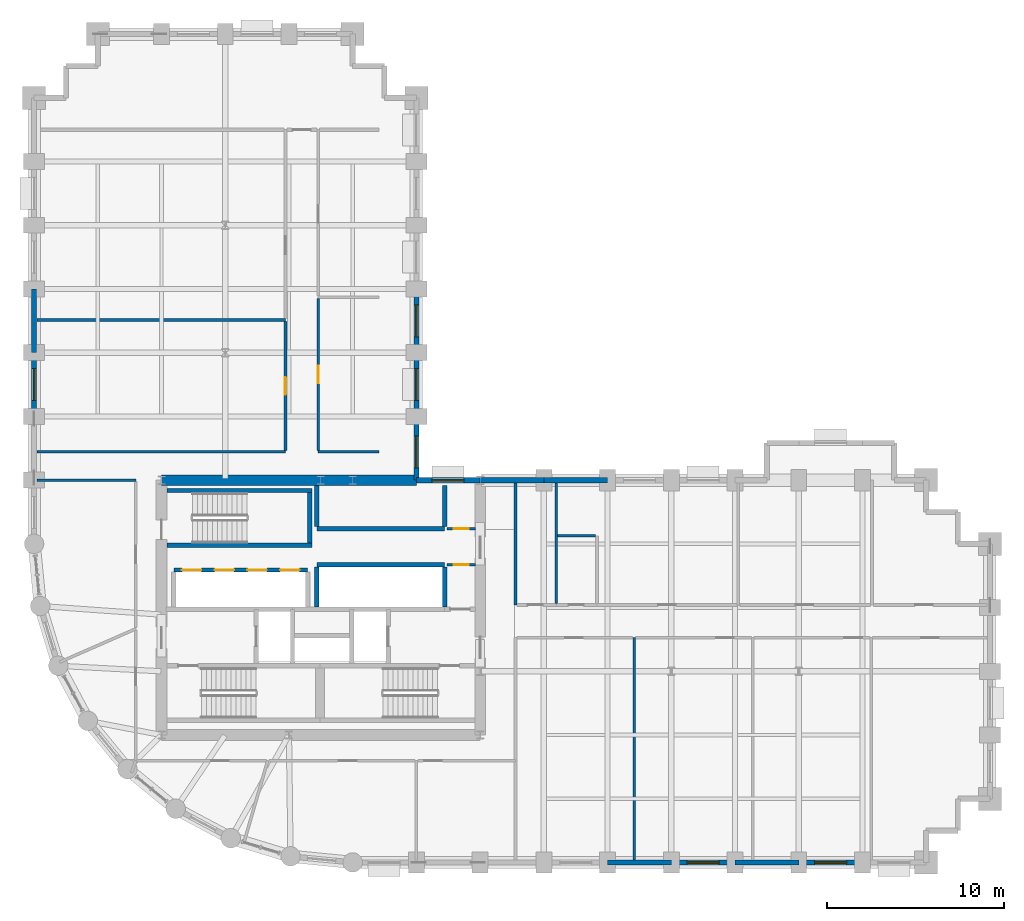
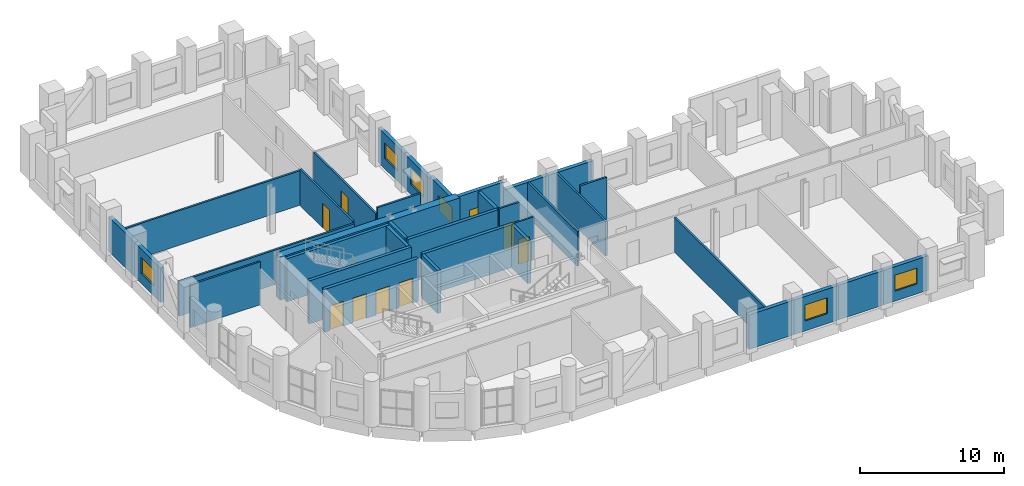
# One storey, part 9 of 13: 35 walls, 8 doors, 7 windows, 15 openings.
"""IFC4 building model written with IfcOpenShell, lengths in metres."""

from ifc_helpers import new_model, si_unit, direction, frame, frame_2d, origin, place, context, subcontext, project, spatial, rectangle, extrude, material, layer, layer_set, type_object, element, fill, save


model = new_model("IFC4")

# Units and contexts
model_context = context("Model", 3, precision=1e-05, world=origin(), true_north=direction((0.0, 1.0)))
body_context = subcontext(model_context, "Body", "Model", "MODEL_VIEW")
ifc_project = project(units=[si_unit("LENGTHUNIT", "METRE"), si_unit("AREAUNIT", "SQUARE_METRE"), si_unit("VOLUMEUNIT", "CUBIC_METRE"), si_unit("PLANEANGLEUNIT", "RADIAN"), si_unit("MASSUNIT", "GRAM", prefix="KILO")], contexts=[model_context])

# Site, building, storey
site_placement = place(None, origin())
site = spatial("IfcSite", under=ifc_project, at=site_placement, CompositionType="ELEMENT")
building_placement = place(site_placement, origin())
building = spatial("IfcBuilding", under=site, at=building_placement, Name="Solnavia Interchange Tower", CompositionType="ELEMENT")
storey_placement = place(building_placement, frame((0.0, 0.0, 39.60009765625)))
storey = spatial("IfcBuildingStorey", under=building, at=storey_placement, Name="L09", CompositionType="ELEMENT", Elevation=39.60009765625)

# Wall
ifc_material_1 = material(Name="Concrete C40/50", Category="concrete")
ifc_layer_1 = layer(ifc_material_1, 0.300048828125)
ifc_layer_set_1 = layer_set([ifc_layer_1], Name="Concrete C40/50")
wall_type_1 = type_object("IfcWallType", Name="Wall-ExtSpandrel-300", PredefinedType="STANDARD", material=ifc_layer_set_1)
wall_1_placement = place(storey_placement, frame((43.199951171875, 3.60009765625, 0.0), z_axis=(0.0, 0.0, 1.0), x_axis=(-1.0, 0.0, 0.0)))
element("IfcWall", 1, at=wall_1_placement, inside=storey, type_object=wall_type_1, Name="EXW-L09-05 Exterior precast spandrel wall", PredefinedType="STANDARD", context=body_context, shape_type="SweptSolid", body=[
    extrude(rectangle(XDim=3.599853515625, YDim=0.300048828125, at=frame_2d((1.7998046875, 0.0))), origin(), (0.0, 0.0, 1.0), 2.929931640625),
])

# Wall, opening, window
wall_2_placement = place(storey_placement, frame((46.800048828125, 3.60009765625, 0.0), z_axis=(0.0, 0.0, 1.0), x_axis=(-1.0, 0.0, 0.0)))
wall_2 = element("IfcWall", 2, at=wall_2_placement, inside=storey, type_object=wall_type_1, Name="EXW-L09-06 Exterior precast spandrel wall", PredefinedType="STANDARD", context=body_context, shape_type="SweptSolid", body=[
    extrude(rectangle(XDim=3.60009765625, YDim=0.300048828125, at=frame_2d((1.800048828125, 0.0))), origin(), (0.0, 0.0, 1.0), 2.929931640625),
])
opening_1_placement = place(wall_2_placement, frame((0.89990234375, 0.0, 0.85009765625)))
opening_1 = element("IfcOpeningElement", 3, at=opening_1_placement, cuts=wall_2, Name="Opening WIN-02", PredefinedType="OPENING", context=body_context, shape_type="SweptSolid", body=[
    extrude(rectangle(XDim=1.800048828125, YDim=1.35009765625, at=frame_2d((0.89990234375, 0.675048828125))), frame((0.0, 0.16015625, 0.0), z_axis=(0.0, -1.0, 0.0), x_axis=(1.0, 0.0, 0.0)), (0.0, 0.0, 1.0), 0.320068359375),
])
ifc_material_2 = material(Name="Thermal-Break Aluminium & Low-E Glass", Category="aluminium")
window_type = type_object("IfcWindowType", Name="Window-Ribbon-1800x1350", PartitioningType="SINGLE_PANEL", PredefinedType="WINDOW", material=ifc_material_2)
window_1_placement = place(opening_1_placement, origin())
window_1 = element("IfcWindow", 4, at=window_1_placement, inside=storey, type_object=window_type, Name="WIN-L09-06 Facade ribbon window", OverallHeight=1.35009765625, OverallWidth=1.800048828125, PartitioningType="SINGLE_PANEL", PredefinedType="WINDOW", context=body_context, shape_type="SweptSolid", body=[
    extrude(rectangle(XDim=1.800048828125, YDim=1.35009765625, at=frame_2d((0.89990234375, 0.675048828125))), frame((0.0, 0.030029296875, 0.0), z_axis=(0.0, -1.0, 0.0), x_axis=(1.0, 0.0, 0.0)), (0.0, 0.0, 1.0), 0.06005859375),
])
fill(opening_1, window_1)

# Wall
wall_3_placement = place(storey_placement, frame((50.39990234375, 3.60009765625, 0.0), z_axis=(0.0, 0.0, 1.0), x_axis=(-1.0, 0.0, 0.0)))
element("IfcWall", 5, at=wall_3_placement, inside=storey, type_object=wall_type_1, Name="EXW-L09-07 Exterior precast spandrel wall", PredefinedType="STANDARD", context=body_context, shape_type="SweptSolid", body=[
    extrude(rectangle(XDim=3.599853515625, YDim=0.300048828125, at=frame_2d((1.7998046875, 0.0))), origin(), (0.0, 0.0, 1.0), 2.929931640625),
])

# Wall, opening, window
wall_4_placement = place(storey_placement, frame((54.0, 3.60009765625, 0.0), z_axis=(0.0, 0.0, 1.0), x_axis=(-1.0, 0.0, 0.0)))
wall_4 = element("IfcWall", 6, at=wall_4_placement, inside=storey, type_object=wall_type_1, Name="EXW-L09-08 Exterior precast spandrel wall", PredefinedType="STANDARD", context=body_context, shape_type="SweptSolid", body=[
    extrude(rectangle(XDim=3.60009765625, YDim=0.300048828125, at=frame_2d((1.800048828125, 0.0))), origin(), (0.0, 0.0, 1.0), 2.929931640625),
])
opening_2_placement = place(wall_4_placement, frame((0.89990234375, 0.0, 0.85009765625)))
opening_2 = element("IfcOpeningElement", 7, at=opening_2_placement, cuts=wall_4, Name="Opening WIN-02", PredefinedType="OPENING", context=body_context, shape_type="SweptSolid", body=[
    extrude(rectangle(XDim=1.800048828125, YDim=1.35009765625, at=frame_2d((0.89990234375, 0.675048828125))), frame((0.0, 0.16015625, 0.0), z_axis=(0.0, -1.0, 0.0), x_axis=(1.0, 0.0, 0.0)), (0.0, 0.0, 1.0), 0.320068359375),
])
window_2_placement = place(opening_2_placement, origin())
window_2 = element("IfcWindow", 8, at=window_2_placement, inside=storey, type_object=window_type, Name="WIN-L09-08 Facade ribbon window", OverallHeight=1.35009765625, OverallWidth=1.800048828125, PartitioningType="SINGLE_PANEL", PredefinedType="WINDOW", context=body_context, shape_type="SweptSolid", body=[
    extrude(rectangle(XDim=1.800048828125, YDim=1.35009765625, at=frame_2d((0.89990234375, 0.675048828125))), frame((0.0, 0.030029296875, 0.0), z_axis=(0.0, -1.0, 0.0), x_axis=(1.0, 0.0, 0.0)), (0.0, 0.0, 1.0), 0.06005859375),
])
fill(opening_2, window_2)

# Walls
for number, where, z_axis, x_axis, name in (
    (9, (36.0, 25.199951171875, 0.0), (0.0, 0.0, 1.0), (1.0, 0.0, 0.0), "EXW-L09-31 Exterior precast spandrel wall"),
    (10, (32.39990234375, 25.199951171875, 0.0), (0.0, 0.0, 1.0), (1.0, 0.0, 0.0), "EXW-L09-32 Exterior precast spandrel wall"),
):
    element("IfcWall", number, at=place(storey_placement, frame(where, z_axis=z_axis, x_axis=x_axis)), inside=storey, type_object=wall_type_1, Name=name, PredefinedType="STANDARD", context=body_context, shape_type="SweptSolid", body=[
        extrude(rectangle(XDim=3.60009765625, YDim=0.300048828125, at=frame_2d((1.800048828125, 0.0))), origin(), (0.0, 0.0, 1.0), 2.929931640625),
    ])

# Wall, opening, window
wall_5_placement = place(storey_placement, frame((28.800048828125, 25.199951171875, 0.0), z_axis=(0.0, 0.0, 1.0), x_axis=(1.0, 0.0, 0.0)))
wall_5 = element("IfcWall", 11, at=wall_5_placement, inside=storey, type_object=wall_type_1, Name="EXW-L09-33 Exterior precast spandrel wall", PredefinedType="STANDARD", context=body_context, shape_type="SweptSolid", body=[
    extrude(rectangle(XDim=3.599853515625, YDim=0.300048828125, at=frame_2d((1.7998046875, 0.0))), origin(), (0.0, 0.0, 1.0), 3.635009765625),
])
opening_3_placement = place(wall_5_placement, frame((0.8779296875, 0.0, 0.85009765625)))
opening_3 = element("IfcOpeningElement", 12, at=opening_3_placement, cuts=wall_5, Name="Opening WIN-02", PredefinedType="OPENING", context=body_context, shape_type="SweptSolid", body=[
    extrude(rectangle(XDim=1.800048828125, YDim=1.35009765625, at=frame_2d((0.89990234375, 0.675048828125))), frame((0.0, 0.16015625, 0.0), z_axis=(0.0, -1.0, 0.0), x_axis=(1.0, 0.0, 0.0)), (0.0, 0.0, 1.0), 0.320068359375),
])
window_3_placement = place(opening_3_placement, origin())
window_3 = element("IfcWindow", 13, at=window_3_placement, inside=storey, type_object=window_type, Name="WIN-L09-33 Facade ribbon window", OverallHeight=1.35009765625, OverallWidth=1.800048828125, PartitioningType="SINGLE_PANEL", PredefinedType="WINDOW", context=body_context, shape_type="SweptSolid", body=[
    extrude(rectangle(XDim=1.800048828125, YDim=1.35009765625, at=frame_2d((0.89990234375, 0.675048828125))), frame((0.0, 0.030029296875, 0.0), z_axis=(0.0, -1.0, 0.0), x_axis=(1.0, 0.0, 0.0)), (0.0, 0.0, 1.0), 0.06005859375),
])
fill(opening_3, window_3)

wall_6_placement = place(storey_placement, frame((28.800048828125, 25.199951171875, 0.0), z_axis=(0.0, 0.0, 1.0), x_axis=(0.0, 1.0, 0.0)))
wall_6 = element("IfcWall", 14, at=wall_6_placement, inside=storey, type_object=wall_type_1, Name="EXW-L09-34 Exterior precast spandrel wall", PredefinedType="STANDARD", context=body_context, shape_type="SweptSolid", body=[
    extrude(rectangle(XDim=3.60009765625, YDim=0.300048828125, at=frame_2d((1.800048828125, 0.0))), origin(), (0.0, 0.0, 1.0), 3.139892578125),
])
opening_4_placement = place(wall_6_placement, frame((0.695068359375, 0.0, 0.85009765625)))
opening_4 = element("IfcOpeningElement", 15, at=opening_4_placement, cuts=wall_6, Name="Opening WIN-02", PredefinedType="OPENING", context=body_context, shape_type="SweptSolid", body=[
    extrude(rectangle(XDim=1.800048828125, YDim=1.35009765625, at=frame_2d((0.89990234375, 0.675048828125))), frame((0.0, 0.16015625, 0.0), z_axis=(0.0, -1.0, 0.0), x_axis=(1.0, 0.0, 0.0)), (0.0, 0.0, 1.0), 0.320068359375),
])
window_4_placement = place(opening_4_placement, origin())
window_4 = element("IfcWindow", 16, at=window_4_placement, inside=storey, type_object=window_type, Name="WIN-L09-34 Facade ribbon window", OverallHeight=1.35009765625, OverallWidth=1.800048828125, PartitioningType="SINGLE_PANEL", PredefinedType="WINDOW", context=body_context, shape_type="SweptSolid", body=[
    extrude(rectangle(XDim=1.800048828125, YDim=1.35009765625, at=frame_2d((0.89990234375, 0.675048828125))), frame((0.0, 0.030029296875, 0.0), z_axis=(0.0, -1.0, 0.0), x_axis=(1.0, 0.0, 0.0)), (0.0, 0.0, 1.0), 0.06005859375),
])
fill(opening_4, window_4)

wall_7_placement = place(storey_placement, frame((28.800048828125, 28.800048828125, 0.0), z_axis=(0.0, 0.0, 1.0), x_axis=(0.0, 1.0, 0.0)))
wall_7 = element("IfcWall", 17, at=wall_7_placement, inside=storey, type_object=wall_type_1, Name="EXW-L09-35 Exterior precast spandrel wall", PredefinedType="STANDARD", context=body_context, shape_type="SweptSolid", body=[
    extrude(rectangle(XDim=3.599853515625, YDim=0.300048828125, at=frame_2d((1.7998046875, 0.0))), origin(), (0.0, 0.0, 1.0), 2.929931640625),
])
opening_5_placement = place(wall_7_placement, frame((0.89990234375, 0.0, 0.85009765625)))
opening_5 = element("IfcOpeningElement", 18, at=opening_5_placement, cuts=wall_7, Name="Opening WIN-02", PredefinedType="OPENING", context=body_context, shape_type="SweptSolid", body=[
    extrude(rectangle(XDim=1.800048828125, YDim=1.35009765625, at=frame_2d((0.89990234375, 0.675048828125))), frame((0.0, 0.16015625, 0.0), z_axis=(0.0, -1.0, 0.0), x_axis=(1.0, 0.0, 0.0)), (0.0, 0.0, 1.0), 0.320068359375),
])
window_5_placement = place(opening_5_placement, origin())
window_5 = element("IfcWindow", 19, at=window_5_placement, inside=storey, type_object=window_type, Name="WIN-L09-35 Facade ribbon window", OverallHeight=1.35009765625, OverallWidth=1.800048828125, PartitioningType="SINGLE_PANEL", PredefinedType="WINDOW", context=body_context, shape_type="SweptSolid", body=[
    extrude(rectangle(XDim=1.800048828125, YDim=1.35009765625, at=frame_2d((0.89990234375, 0.675048828125))), frame((0.0, 0.030029296875, 0.0), z_axis=(0.0, -1.0, 0.0), x_axis=(1.0, 0.0, 0.0)), (0.0, 0.0, 1.0), 0.06005859375),
])
fill(opening_5, window_5)

wall_8_placement = place(storey_placement, frame((28.800048828125, 32.39990234375, 0.0), z_axis=(0.0, 0.0, 1.0), x_axis=(0.0, 1.0, 0.0)))
wall_8 = element("IfcWall", 20, at=wall_8_placement, inside=storey, type_object=wall_type_1, Name="EXW-L09-36 Exterior precast spandrel wall", PredefinedType="STANDARD", context=body_context, shape_type="SweptSolid", body=[
    extrude(rectangle(XDim=3.60009765625, YDim=0.300048828125, at=frame_2d((1.800048828125, 0.0))), origin(), (0.0, 0.0, 1.0), 2.929931640625),
])
opening_6_placement = place(wall_8_placement, frame((0.89990234375, 0.0, 0.85009765625)))
opening_6 = element("IfcOpeningElement", 21, at=opening_6_placement, cuts=wall_8, Name="Opening WIN-02", PredefinedType="OPENING", context=body_context, shape_type="SweptSolid", body=[
    extrude(rectangle(XDim=1.800048828125, YDim=1.35009765625, at=frame_2d((0.89990234375, 0.675048828125))), frame((0.0, 0.16015625, 0.0), z_axis=(0.0, -1.0, 0.0), x_axis=(1.0, 0.0, 0.0)), (0.0, 0.0, 1.0), 0.320068359375),
])
window_6_placement = place(opening_6_placement, origin())
window_6 = element("IfcWindow", 22, at=window_6_placement, inside=storey, type_object=window_type, Name="WIN-L09-36 Facade ribbon window", OverallHeight=1.35009765625, OverallWidth=1.800048828125, PartitioningType="SINGLE_PANEL", PredefinedType="WINDOW", context=body_context, shape_type="SweptSolid", body=[
    extrude(rectangle(XDim=1.800048828125, YDim=1.35009765625, at=frame_2d((0.89990234375, 0.675048828125))), frame((0.0, 0.030029296875, 0.0), z_axis=(0.0, -1.0, 0.0), x_axis=(1.0, 0.0, 0.0)), (0.0, 0.0, 1.0), 0.06005859375),
])
fill(opening_6, window_6)

# Wall
wall_9_placement = place(storey_placement, frame((7.199951171875, 32.39990234375, 0.0), z_axis=(0.0, 0.0, 1.0), x_axis=(0.0, 1.0, 0.0)))
element("IfcWall", 23, at=wall_9_placement, inside=storey, type_object=wall_type_1, Name="EXW-L09-55 Exterior precast spandrel wall", PredefinedType="STANDARD", context=body_context, shape_type="SweptSolid", body=[
    extrude(rectangle(XDim=3.60009765625, YDim=0.300048828125, at=frame_2d((1.800048828125, 0.0))), origin(), (0.0, 0.0, 1.0), 2.929931640625),
])

# Wall, opening, window
wall_10_placement = place(storey_placement, frame((7.199951171875, 28.800048828125, 0.0), z_axis=(0.0, 0.0, 1.0), x_axis=(0.0, 1.0, 0.0)))
wall_10 = element("IfcWall", 24, at=wall_10_placement, inside=storey, type_object=wall_type_1, Name="EXW-L09-56 Exterior precast spandrel wall", PredefinedType="STANDARD", context=body_context, shape_type="SweptSolid", body=[
    extrude(rectangle(XDim=3.599853515625, YDim=0.300048828125, at=frame_2d((1.7998046875, 0.0))), origin(), (0.0, 0.0, 1.0), 2.929931640625),
])
opening_7_placement = place(wall_10_placement, frame((0.89990234375, 0.0, 0.85009765625)))
opening_7 = element("IfcOpeningElement", 25, at=opening_7_placement, cuts=wall_10, Name="Opening WIN-02", PredefinedType="OPENING", context=body_context, shape_type="SweptSolid", body=[
    extrude(rectangle(XDim=1.800048828125, YDim=1.35009765625, at=frame_2d((0.89990234375, 0.675048828125))), frame((0.0, 0.16015625, 0.0), z_axis=(0.0, -1.0, 0.0), x_axis=(1.0, 0.0, 0.0)), (0.0, 0.0, 1.0), 0.320068359375),
])
window_7_placement = place(opening_7_placement, origin())
window_7 = element("IfcWindow", 26, at=window_7_placement, inside=storey, type_object=window_type, Name="WIN-L09-56 Facade ribbon window", OverallHeight=1.35009765625, OverallWidth=1.800048828125, PartitioningType="SINGLE_PANEL", PredefinedType="WINDOW", context=body_context, shape_type="SweptSolid", body=[
    extrude(rectangle(XDim=1.800048828125, YDim=1.35009765625, at=frame_2d((0.89990234375, 0.675048828125))), frame((0.0, 0.030029296875, 0.0), z_axis=(0.0, -1.0, 0.0), x_axis=(1.0, 0.0, 0.0)), (0.0, 0.0, 1.0), 0.06005859375),
])
fill(opening_7, window_7)

# Wall, opening, door
ifc_material_3 = material(Name="Gypsum Plasterboard & Steel Stud", Category="steel")
ifc_layer_2 = layer(ifc_material_3, 0.14990234375)
ifc_layer_set_2 = layer_set([ifc_layer_2], Name="Gypsum Plasterboard & Steel Stud")
wall_type_2 = type_object("IfcWallType", Name="Wall-Partition-150", PredefinedType="PARTITIONING", material=ifc_layer_set_2)
wall_11_placement = place(storey_placement, frame((30.52001953125, 22.4599609375, 0.0), z_axis=(0.0, 0.0, 1.0), x_axis=(1.0, 0.0, 0.0)))
wall_11 = element("IfcWall", 27, at=wall_11_placement, inside=storey, type_object=wall_type_2, Name="CSW-L09-NE-S Core shaft wall", PredefinedType="PARTITIONING", context=body_context, shape_type="SweptSolid", body=[
    extrude(rectangle(XDim=1.6298828125, YDim=0.14990234375, at=frame_2d((0.81494140625, 0.0))), origin(), (0.0, 0.0, 1.0), 3.635009765625),
])
opening_8_placement = place(wall_11_placement, frame((0.3798828125, 0.0, 0.0)))
opening_8 = element("IfcOpeningElement", 28, at=opening_8_placement, cuts=wall_11, Name="Opening DR-10", PredefinedType="OPENING", context=body_context, shape_type="SweptSolid", body=[
    extrude(rectangle(XDim=0.85009765625, YDim=2.10009765625, at=frame_2d((0.425048828125, 1.050048828125))), frame((0.0, 0.0849609375, 0.0), z_axis=(0.0, -1.0, 0.0), x_axis=(1.0, 0.0, 0.0)), (0.0, 0.0, 1.0), 0.169921875),
])
ifc_material_4 = material(Name="Moisture-Resistant Timber Door", Category="wood")
door_type_1 = type_object("IfcDoorType", Name="Door-Bathroom-850x2100", OperationType="SINGLE_SWING_RIGHT", PredefinedType="DOOR", material=ifc_material_4)
door_1_placement = place(opening_8_placement, origin())
door_1 = element("IfcDoor", 29, at=door_1_placement, inside=storey, type_object=door_type_1, Name="DR-L09-CNE1 Core fire door", OperationType="SINGLE_SWING_RIGHT", OverallHeight=2.10009765625, OverallWidth=0.85009765625, PredefinedType="DOOR", context=body_context, shape_type="SweptSolid", body=[
    extrude(rectangle(XDim=0.85009765625, YDim=2.10009765625, at=frame_2d((0.425048828125, 1.050048828125))), frame((0.0, 0.02490234375, 0.0), z_axis=(0.0, -1.0, 0.0), x_axis=(1.0, 0.0, 0.0)), (0.0, 0.0, 1.0), 0.050048828125),
])
fill(opening_8, door_1)

wall_12_placement = place(storey_placement, frame((30.52001953125, 20.419921875, 0.0), z_axis=(0.0, 0.0, 1.0), x_axis=(1.0, 0.0, 0.0)))
wall_12 = element("IfcWall", 30, at=wall_12_placement, inside=storey, type_object=wall_type_2, Name="CSW-L09-SE-N Core shaft wall", PredefinedType="PARTITIONING", context=body_context, shape_type="SweptSolid", body=[
    extrude(rectangle(XDim=1.6298828125, YDim=0.14990234375, at=frame_2d((0.81494140625, 0.0))), origin(), (0.0, 0.0, 1.0), 3.635009765625),
])
opening_9_placement = place(wall_12_placement, frame((0.3798828125, 0.0, 0.0)))
opening_9 = element("IfcOpeningElement", 31, at=opening_9_placement, cuts=wall_12, Name="Opening DR-10", PredefinedType="OPENING", context=body_context, shape_type="SweptSolid", body=[
    extrude(rectangle(XDim=0.85009765625, YDim=2.10009765625, at=frame_2d((0.425048828125, 1.050048828125))), frame((0.0, 0.0849609375, 0.0), z_axis=(0.0, -1.0, 0.0), x_axis=(1.0, 0.0, 0.0)), (0.0, 0.0, 1.0), 0.169921875),
])
door_2_placement = place(opening_9_placement, origin())
door_2 = element("IfcDoor", 32, at=door_2_placement, inside=storey, type_object=door_type_1, Name="DR-L09-CSE1 Core fire door", OperationType="SINGLE_SWING_LEFT", OverallHeight=2.10009765625, OverallWidth=0.85009765625, PredefinedType="DOOR", context=body_context, shape_type="SweptSolid", body=[
    extrude(rectangle(XDim=0.85009765625, YDim=2.10009765625, at=frame_2d((0.425048828125, 1.050048828125))), frame((0.0, 0.02490234375, 0.0), z_axis=(0.0, -1.0, 0.0), x_axis=(1.0, 0.0, 0.0)), (0.0, 0.0, 1.0), 0.050048828125),
])
fill(opening_9, door_2)

# Walls
wall_13_placement = place(storey_placement, frame((7.35400390625, 25.199951171875, 0.0), z_axis=(0.0, 0.0, 1.0), x_axis=(1.0, 0.0, 0.0)))
element("IfcWall", 33, at=wall_13_placement, inside=storey, type_object=wall_type_2, Name="PTW-L09-07 Interior partition wall", PredefinedType="PARTITIONING", context=body_context, shape_type="SweptSolid", body=[
    extrude(rectangle(XDim=5.595947265625, YDim=0.14990234375, at=frame_2d((2.7978515625, 0.0))), origin(), (0.0, 0.0, 1.0), 3.635009765625),
])
wall_14_placement = place(storey_placement, frame((41.10009765625, 3.75390625, 0.0), z_axis=(0.0, 0.0, 1.0), x_axis=(0.0, 1.0, 0.0)))
element("IfcWall", 34, at=wall_14_placement, inside=storey, type_object=wall_type_2, Name="PTW-L09-18 Interior partition wall", PredefinedType="PARTITIONING", context=body_context, shape_type="SweptSolid", body=[
    extrude(rectangle(XDim=12.546142578125, YDim=0.14990234375, at=frame_2d((6.27294921875, 0.0))), origin(), (0.0, 0.0, 1.0), 2.929931640625),
])
for number, where, z_axis, x_axis, name in (
    (35, (7.35400390625, 26.800048828125, 0.0), (0.0, 0.0, 1.0), (1.0, 0.0, 0.0), "PTW-L09-30 Interior partition wall"),
    (36, (7.35400390625, 34.25, 0.0), (0.0, 0.0, 1.0), (1.0, 0.0, 0.0), "PTW-L09-31 Interior partition wall"),
):
    element("IfcWall", number, at=place(storey_placement, frame(where, z_axis=z_axis, x_axis=x_axis)), inside=storey, type_object=wall_type_2, Name=name, PredefinedType="PARTITIONING", context=body_context, shape_type="SweptSolid", body=[
        extrude(rectangle(XDim=14.0458984375, YDim=0.14990234375, at=frame_2d((7.02294921875, 0.0))), origin(), (0.0, 0.0, 1.0), 2.929931640625),
    ])

# Wall, opening, door
wall_15_placement = place(storey_placement, frame((21.39990234375, 26.87890625, 0.0), z_axis=(0.0, 0.0, 1.0), x_axis=(0.0, 1.0, 0.0)))
wall_15 = element("IfcWall", 37, at=wall_15_placement, inside=storey, type_object=wall_type_2, Name="PTW-L09-32 Interior partition wall", PredefinedType="PARTITIONING", context=body_context, shape_type="SweptSolid", body=[
    extrude(rectangle(XDim=7.2919921875, YDim=0.14990234375, at=frame_2d((3.64599609375, 0.0))), origin(), (0.0, 0.0, 1.0), 3.079833984375),
])
opening_10_placement = place(wall_15_placement, frame((3.14599609375, 0.0, 0.0)))
opening_10 = element("IfcOpeningElement", 38, at=opening_10_placement, cuts=wall_15, Name="Opening DR-07", PredefinedType="OPENING", context=body_context, shape_type="SweptSolid", body=[
    extrude(rectangle(XDim=1.0, YDim=2.10009765625, at=frame_2d((0.5, 1.050048828125))), frame((0.0, 0.0849609375, 0.0), z_axis=(0.0, -1.0, 0.0), x_axis=(1.0, 0.0, 0.0)), (0.0, 0.0, 1.0), 0.169921875),
])
ifc_material_5 = material(Name="Timber & Acoustic Glazed Office Door", Category="wood")
door_type_2 = type_object("IfcDoorType", Name="Door-Office-1000x2100", OperationType="SINGLE_SWING_RIGHT", PredefinedType="DOOR", material=ifc_material_5)
door_3_placement = place(opening_10_placement, origin())
door_3 = element("IfcDoor", 39, at=door_3_placement, inside=storey, type_object=door_type_2, Name="DR-L09-15 Interior room door", OperationType="SINGLE_SWING_RIGHT", OverallHeight=2.10009765625, OverallWidth=1.0, PredefinedType="DOOR", context=body_context, shape_type="SweptSolid", body=[
    extrude(rectangle(XDim=1.0, YDim=2.10009765625, at=frame_2d((0.5, 1.050048828125))), frame((0.0, 0.02490234375, 0.0), z_axis=(0.0, -1.0, 0.0), x_axis=(1.0, 0.0, 0.0)), (0.0, 0.0, 1.0), 0.050048828125),
])
fill(opening_10, door_3)

# Wall
wall_16_placement = place(storey_placement, frame((23.25, 26.800048828125, 0.0), z_axis=(0.0, 0.0, 1.0), x_axis=(1.0, 0.0, 0.0)))
element("IfcWall", 40, at=wall_16_placement, inside=storey, type_object=wall_type_2, Name="PTW-L09-34 Interior partition wall", PredefinedType="PARTITIONING", context=body_context, shape_type="SweptSolid", body=[
    extrude(rectangle(XDim=3.449951171875, YDim=0.14990234375, at=frame_2d((1.72509765625, 0.0))), origin(), (0.0, 0.0, 1.0), 3.635009765625),
])

# Wall, opening, door
wall_17_placement = place(storey_placement, frame((23.25, 26.87890625, 0.0), z_axis=(0.0, 0.0, 1.0), x_axis=(0.0, 1.0, 0.0)))
wall_17 = element("IfcWall", 41, at=wall_17_placement, inside=storey, type_object=wall_type_2, Name="PTW-L09-36 Interior partition wall", PredefinedType="PARTITIONING", context=body_context, shape_type="SweptSolid", body=[
    extrude(rectangle(XDim=8.58203125, YDim=0.14990234375, at=frame_2d((4.291015625, 0.0))), origin(), (0.0, 0.0, 1.0), 3.079833984375),
])
opening_11_placement = place(wall_17_placement, frame((3.791015625, 0.0, 0.0)))
opening_11 = element("IfcOpeningElement", 42, at=opening_11_placement, cuts=wall_17, Name="Opening DR-07", PredefinedType="OPENING", context=body_context, shape_type="SweptSolid", body=[
    extrude(rectangle(XDim=1.0, YDim=2.10009765625, at=frame_2d((0.5, 1.050048828125))), frame((0.0, 0.0849609375, 0.0), z_axis=(0.0, -1.0, 0.0), x_axis=(1.0, 0.0, 0.0)), (0.0, 0.0, 1.0), 0.169921875),
])
door_4_placement = place(opening_11_placement, origin())
door_4 = element("IfcDoor", 43, at=door_4_placement, inside=storey, type_object=door_type_2, Name="DR-L09-17 Interior room door", OperationType="SINGLE_SWING_LEFT", OverallHeight=2.10009765625, OverallWidth=1.0, PredefinedType="DOOR", context=body_context, shape_type="SweptSolid", body=[
    extrude(rectangle(XDim=1.0, YDim=2.10009765625, at=frame_2d((0.5, 1.050048828125))), frame((0.0, 0.02490234375, 0.0), z_axis=(0.0, -1.0, 0.0), x_axis=(1.0, 0.0, 0.0)), (0.0, 0.0, 1.0), 0.050048828125),
])
fill(opening_11, door_4)

# Walls
ifc_layer_3 = layer(ifc_material_1, 0.25)
ifc_layer_set_3 = layer_set([ifc_layer_3], Name="Concrete C40/50")
wall_type_3 = type_object("IfcWallType", Name="Wall-ShaftCore-250", PredefinedType="SHEAR", material=ifc_layer_set_3)
for number, where, z_axis, x_axis, name in (
    (44, (14.699951171875, 21.52490234375, 0.0), (0.0, 0.0, 1.0), (1.0, 0.0, 0.0), "SHW-L09-ST3S Core shear wall"),
    (45, (14.699951171875, 24.614990234375, 0.0), (0.0, 0.0, 1.0), (1.0, 0.0, 0.0), "SHW-L09-ST3N Core shear wall"),
):
    element("IfcWall", number, at=place(storey_placement, frame(where, z_axis=z_axis, x_axis=x_axis)), inside=storey, type_object=wall_type_3, Name=name, PredefinedType="SHEAR", context=body_context, shape_type="SweptSolid", body=[
        extrude(rectangle(XDim=8.199951171875, YDim=0.25, at=frame_2d((4.10009765625, 0.0))), origin(), (0.0, 0.0, 1.0), 3.64990234375),
    ])
wall_18_placement = place(storey_placement, frame((22.77490234375, 21.64990234375, 0.0), z_axis=(0.0, 0.0, 1.0), x_axis=(0.0, 1.0, 0.0)))
element("IfcWall", 46, at=wall_18_placement, inside=storey, type_object=wall_type_3, Name="SHW-L09-ST3E Core shear wall", PredefinedType="SHEAR", context=body_context, shape_type="SweptSolid", body=[
    extrude(rectangle(XDim=2.840087890625, YDim=0.25, at=frame_2d((1.419921875, 0.0))), origin(), (0.0, 0.0, 1.0), 3.64990234375),
])

# Wall, openings, doors
ifc_layer_4 = layer(ifc_material_1, 0.25)
ifc_layer_set_4 = layer_set([ifc_layer_4], Name="Concrete C40/50")
wall_type_4 = type_object("IfcWallType", Name="Wall-ShaftPart-250", PredefinedType="PARTITIONING", material=ifc_layer_set_4)
wall_19_placement = place(storey_placement, frame((15.10009765625, 20.125, 0.0), z_axis=(0.0, 0.0, 1.0), x_axis=(1.0, 0.0, 0.0)))
wall_19 = element("IfcWall", 47, at=wall_19_placement, inside=storey, type_object=wall_type_4, Name="SHW-L09-B1N Core shaft wall", PredefinedType="PARTITIONING", context=body_context, shape_type="SweptSolid", body=[
    extrude(rectangle(XDim=7.5498046875, YDim=0.25, at=frame_2d((3.77490234375, 0.0))), origin(), (0.0, 0.0, 1.0), 3.635009765625),
])
opening_12_placement = place(wall_19_placement, frame((0.449951171875, 0.0, 0.0)))
opening_12 = element("IfcOpeningElement", 48, at=opening_12_placement, cuts=wall_19, Name="Opening LD-01", PredefinedType="OPENING", context=body_context, shape_type="SweptSolid", body=[
    extrude(rectangle(XDim=1.10009765625, YDim=2.10009765625, at=frame_2d((0.550048828125, 1.050048828125))), frame((0.0, 0.135009765625, 0.0), z_axis=(0.0, -1.0, 0.0), x_axis=(1.0, 0.0, 0.0)), (0.0, 0.0, 1.0), 0.27001953125),
])
opening_13_placement = place(wall_19_placement, frame((2.300048828125, 0.0, 0.0)))
opening_13 = element("IfcOpeningElement", 49, at=opening_13_placement, cuts=wall_19, Name="Opening LD-01", PredefinedType="OPENING", context=body_context, shape_type="SweptSolid", body=[
    extrude(rectangle(XDim=1.10009765625, YDim=2.10009765625, at=frame_2d((0.550048828125, 1.050048828125))), frame((0.0, 0.135009765625, 0.0), z_axis=(0.0, -1.0, 0.0), x_axis=(1.0, 0.0, 0.0)), (0.0, 0.0, 1.0), 0.27001953125),
])
opening_14_placement = place(wall_19_placement, frame((4.14990234375, 0.0, 0.0)))
opening_14 = element("IfcOpeningElement", 50, at=opening_14_placement, cuts=wall_19, Name="Opening LD-01", PredefinedType="OPENING", context=body_context, shape_type="SweptSolid", body=[
    extrude(rectangle(XDim=1.10009765625, YDim=2.10009765625, at=frame_2d((0.550048828125, 1.050048828125))), frame((0.0, 0.135009765625, 0.0), z_axis=(0.0, -1.0, 0.0), x_axis=(1.0, 0.0, 0.0)), (0.0, 0.0, 1.0), 0.27001953125),
])
opening_15_placement = place(wall_19_placement, frame((6.0, 0.0, 0.0)))
opening_15 = element("IfcOpeningElement", 51, at=opening_15_placement, cuts=wall_19, Name="Opening LD-01", PredefinedType="OPENING", context=body_context, shape_type="SweptSolid", body=[
    extrude(rectangle(XDim=1.10009765625, YDim=2.10009765625, at=frame_2d((0.550048828125, 1.050048828125))), frame((0.0, 0.135009765625, 0.0), z_axis=(0.0, -1.0, 0.0), x_axis=(1.0, 0.0, 0.0)), (0.0, 0.0, 1.0), 0.27001953125),
])
ifc_material_6 = material(Name="Brushed Stainless Steel Sliding Door", Category="steel")
door_type_3 = type_object("IfcDoorType", Name="Door-LiftLanding-1100x2100", OperationType="SLIDING_TO_LEFT", PredefinedType="DOOR", material=ifc_material_6)
door_5_placement = place(opening_12_placement, origin())
door_5 = element("IfcDoor", 52, at=door_5_placement, inside=storey, type_object=door_type_3, Name="LD-L09-B1-1 Lift landing sliding door", OperationType="SLIDING_TO_LEFT", OverallHeight=2.10009765625, OverallWidth=1.10009765625, PredefinedType="DOOR", context=body_context, shape_type="SweptSolid", body=[
    extrude(rectangle(XDim=1.10009765625, YDim=2.10009765625, at=frame_2d((0.550048828125, 1.050048828125))), frame((0.0, 0.02490234375, 0.0), z_axis=(0.0, -1.0, 0.0), x_axis=(1.0, 0.0, 0.0)), (0.0, 0.0, 1.0), 0.050048828125),
])
fill(opening_12, door_5)
door_6_placement = place(opening_13_placement, origin())
door_6 = element("IfcDoor", 53, at=door_6_placement, inside=storey, type_object=door_type_3, Name="LD-L09-B1-2 Lift landing sliding door", OperationType="SLIDING_TO_LEFT", OverallHeight=2.10009765625, OverallWidth=1.10009765625, PredefinedType="DOOR", context=body_context, shape_type="SweptSolid", body=[
    extrude(rectangle(XDim=1.10009765625, YDim=2.10009765625, at=frame_2d((0.550048828125, 1.050048828125))), frame((0.0, 0.02490234375, 0.0), z_axis=(0.0, -1.0, 0.0), x_axis=(1.0, 0.0, 0.0)), (0.0, 0.0, 1.0), 0.050048828125),
])
fill(opening_13, door_6)
door_7_placement = place(opening_14_placement, origin())
door_7 = element("IfcDoor", 54, at=door_7_placement, inside=storey, type_object=door_type_3, Name="LD-L09-B1-3 Lift landing sliding door", OperationType="SLIDING_TO_LEFT", OverallHeight=2.10009765625, OverallWidth=1.10009765625, PredefinedType="DOOR", context=body_context, shape_type="SweptSolid", body=[
    extrude(rectangle(XDim=1.10009765625, YDim=2.10009765625, at=frame_2d((0.550048828125, 1.050048828125))), frame((0.0, 0.02490234375, 0.0), z_axis=(0.0, -1.0, 0.0), x_axis=(1.0, 0.0, 0.0)), (0.0, 0.0, 1.0), 0.050048828125),
])
fill(opening_14, door_7)
door_8_placement = place(opening_15_placement, origin())
door_8 = element("IfcDoor", 55, at=door_8_placement, inside=storey, type_object=door_type_3, Name="LD-L09-B1-4 Lift landing sliding door", OperationType="SLIDING_TO_LEFT", OverallHeight=2.10009765625, OverallWidth=1.10009765625, PredefinedType="DOOR", context=body_context, shape_type="SweptSolid", body=[
    extrude(rectangle(XDim=1.10009765625, YDim=2.10009765625, at=frame_2d((0.550048828125, 1.050048828125))), frame((0.0, 0.02490234375, 0.0), z_axis=(0.0, -1.0, 0.0), x_axis=(1.0, 0.0, 0.0)), (0.0, 0.0, 1.0), 0.050048828125),
])
fill(opening_15, door_8)

# Walls
wall_20_placement = place(storey_placement, frame((23.179931640625, 20.419921875, 0.0), z_axis=(0.0, 0.0, 1.0), x_axis=(1.0, 0.0, 0.0)))
element("IfcWall", 56, at=wall_20_placement, inside=storey, type_object=wall_type_4, Name="SHW-L09-B2N Core shaft wall", PredefinedType="PARTITIONING", context=body_context, shape_type="SweptSolid", body=[
    extrude(rectangle(XDim=7.219970703125, YDim=0.25, at=frame_2d((3.60986328125, 0.0))), origin(), (0.0, 0.0, 1.0), 3.635009765625),
])
for number, where, z_axis, x_axis, name in (
    (57, (23.179931640625, 18.02490234375, 0.0), (0.0, 0.0, 1.0), (0.0, 1.0, 0.0), "SHW-L09-B2W Core shaft wall"),
    (58, (30.39990234375, 18.02490234375, 0.0), (0.0, 0.0, 1.0), (0.0, 1.0, 0.0), "SHW-L09-B2E Core shaft wall"),
):
    element("IfcWall", number, at=place(storey_placement, frame(where, z_axis=z_axis, x_axis=x_axis)), inside=storey, type_object=wall_type_4, Name=name, PredefinedType="PARTITIONING", context=body_context, shape_type="SweptSolid", body=[
        extrude(rectangle(XDim=2.27001953125, YDim=0.25, at=frame_2d((1.135009765625, 0.0))), origin(), (0.0, 0.0, 1.0), 3.635009765625),
    ])
wall_21_placement = place(storey_placement, frame((23.179931640625, 22.4599609375, 0.0), z_axis=(0.0, 0.0, 1.0), x_axis=(1.0, 0.0, 0.0)))
element("IfcWall", 59, at=wall_21_placement, inside=storey, type_object=wall_type_4, Name="SHW-L09-B3S Core shaft wall", PredefinedType="PARTITIONING", context=body_context, shape_type="SweptSolid", body=[
    extrude(rectangle(XDim=7.219970703125, YDim=0.25, at=frame_2d((3.60986328125, 0.0))), origin(), (0.0, 0.0, 1.0), 3.635009765625),
])
for number, where, z_axis, x_axis, name in (
    (60, (23.179931640625, 22.5849609375, 0.0), (0.0, 0.0, 1.0), (0.0, 1.0, 0.0), "SHW-L09-B3W Core shaft wall"),
    (61, (30.39990234375, 22.5849609375, 0.0), (0.0, 0.0, 1.0), (0.0, 1.0, 0.0), "SHW-L09-B3E Core shaft wall"),
):
    element("IfcWall", number, at=place(storey_placement, frame(where, z_axis=z_axis, x_axis=x_axis)), inside=storey, type_object=wall_type_4, Name=name, PredefinedType="PARTITIONING", context=body_context, shape_type="SweptSolid", body=[
        extrude(rectangle(XDim=2.31494140625, YDim=0.25, at=frame_2d((1.157470703125, 0.0))), origin(), (0.0, 0.0, 1.0), 3.635009765625),
    ])
ifc_material_7 = material(Name="Concrete C60/75", Category="concrete")
ifc_layer_5 = layer(ifc_material_7, 0.60009765625)
ifc_layer_set_5 = layer_set([ifc_layer_5], Name="Concrete C60/75")
wall_type_5 = type_object("IfcWallType", Name="Wall-ShearCore-600", PredefinedType="SHEAR", material=ifc_layer_set_5)
wall_22_placement = place(storey_placement, frame((14.39990234375, 25.199951171875, 0.0), z_axis=(0.0, 0.0, 1.0), x_axis=(1.0, 0.0, 0.0)))
element("IfcWall", 62, at=wall_22_placement, inside=storey, type_object=wall_type_5, Name="CRW-L09-N Core shear wall", PredefinedType="SHEAR", context=body_context, shape_type="SweptSolid", body=[
    extrude(rectangle(XDim=14.400146484375, YDim=0.60009765625, at=frame_2d((7.2001953125, 0.0))), origin(), (0.0, 0.0, 1.0), 3.64990234375),
])
ifc_material_8 = material(Name="Moisture-Resistant Gypsum & Steel Stud", Category="steel")
ifc_layer_6 = layer(ifc_material_8, 0.14990234375)
ifc_layer_set_6 = layer_set([ifc_layer_6], Name="Moisture-Resistant Gypsum & Steel Stud")
wall_type_6 = type_object("IfcWallType", Name="Wall-WetRoom-150", PredefinedType="PARTITIONING", material=ifc_layer_set_6)
wall_23_placement = place(storey_placement, frame((34.39990234375, 18.14990234375, 0.0), z_axis=(0.0, 0.0, 1.0), x_axis=(0.0, 1.0, 0.0)))
element("IfcWall", 63, at=wall_23_placement, inside=storey, type_object=wall_type_6, Name="PTW-L09-01 Interior partition wall", PredefinedType="PARTITIONING", context=body_context, shape_type="SweptSolid", body=[
    extrude(rectangle(XDim=6.89599609375, YDim=0.14990234375, at=frame_2d((3.447998046875, 0.0))), origin(), (0.0, 0.0, 1.0), 2.929931640625),
])
wall_24_placement = place(storey_placement, frame((36.699951171875, 18.22900390625, 0.0), z_axis=(0.0, 0.0, 1.0), x_axis=(0.0, 1.0, 0.0)))
element("IfcWall", 64, at=wall_24_placement, inside=storey, type_object=wall_type_6, Name="PTW-L09-03 Interior partition wall", PredefinedType="PARTITIONING", context=body_context, shape_type="SweptSolid", body=[
    extrude(rectangle(XDim=6.81689453125, YDim=0.14990234375, at=frame_2d((3.408447265625, 0.0))), origin(), (0.0, 0.0, 1.0), 2.929931640625),
])
wall_25_placement = place(storey_placement, frame((36.779052734375, 22.050048828125, 0.0), z_axis=(0.0, 0.0, 1.0), x_axis=(1.0, 0.0, 0.0)))
element("IfcWall", 65, at=wall_25_placement, inside=storey, type_object=wall_type_6, Name="PTW-L09-06 Interior partition wall", PredefinedType="PARTITIONING", context=body_context, shape_type="SweptSolid", body=[
    extrude(rectangle(XDim=2.141845703125, YDim=0.14990234375, at=frame_2d((1.07080078125, 0.0))), origin(), (0.0, 0.0, 1.0), 3.635009765625),
])

save(model, "model.ifc")
